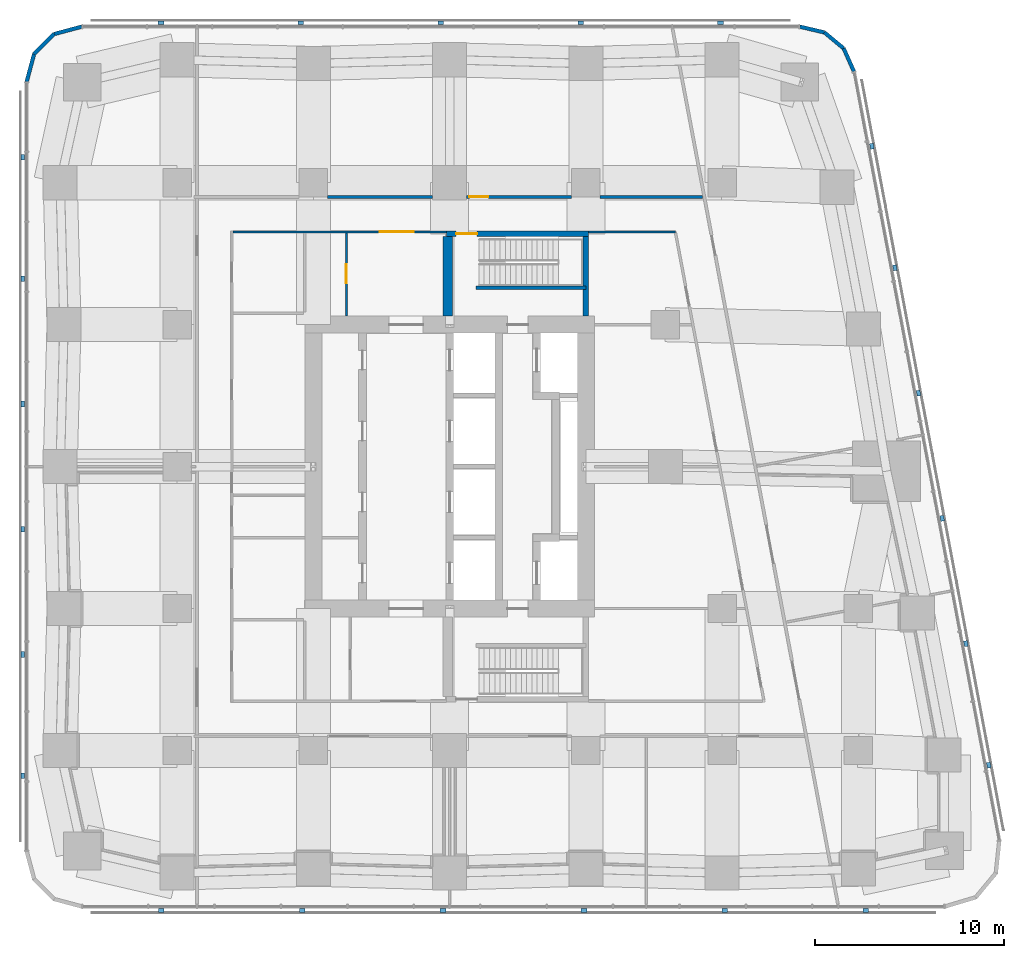
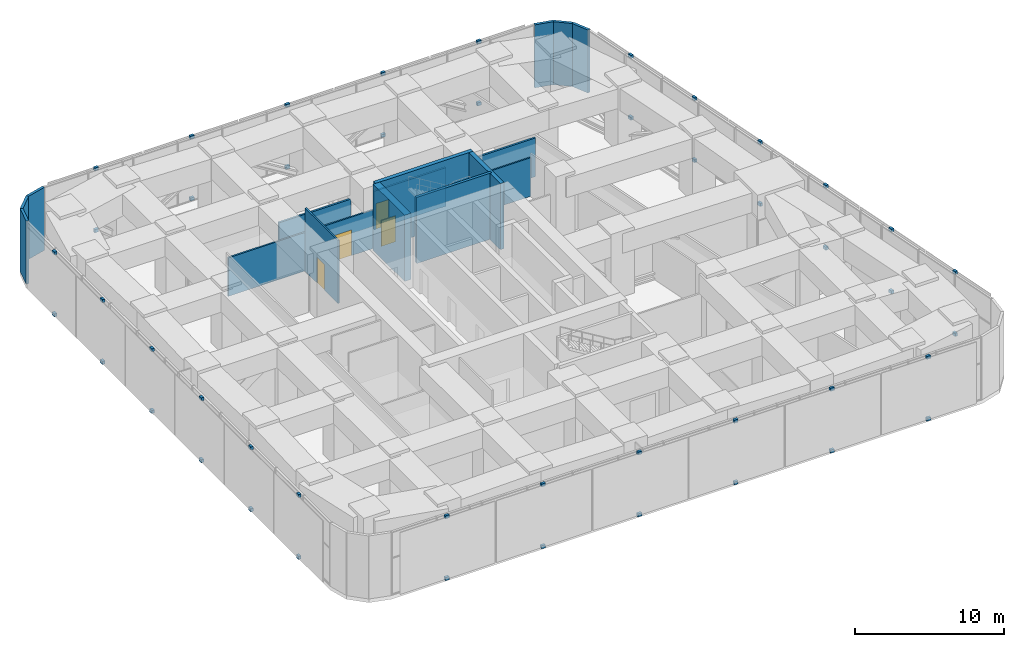
# One storey, part 15 of 17: 46 discrete accessories, 16 walls, 4 doors, 4 openings.
"""IFC4 building model written with IfcOpenShell, lengths in metres."""

from ifc_helpers import new_model, si_unit, direction, frame, frame_2d, origin, origin_2d, place, context, subcontext, project, spatial, rectangle, extrude, material, layer, layer_set, type_object, element, fill, save


model = new_model("IFC4")

# Units and contexts
model_context = context("Model", 3, precision=1e-05, world=origin(), true_north=direction((0.0, 1.0)))
body_context = subcontext(model_context, "Body", "Model", "MODEL_VIEW")
ifc_project = project(units=[si_unit("LENGTHUNIT", "METRE"), si_unit("AREAUNIT", "SQUARE_METRE"), si_unit("VOLUMEUNIT", "CUBIC_METRE"), si_unit("PLANEANGLEUNIT", "RADIAN"), si_unit("MASSUNIT", "GRAM", prefix="KILO")], contexts=[model_context])

# Site, building, storey
site_placement = place(None, origin())
site = spatial("IfcSite", under=ifc_project, at=site_placement, CompositionType="ELEMENT")
building_placement = place(site_placement, origin())
building = spatial("IfcBuilding", under=site, at=building_placement, Name="Sheger Commons Tower", CompositionType="ELEMENT")
storey_placement = place(building_placement, frame((0.0, 0.0, 188.300048828125)))
storey = spatial("IfcBuildingStorey", under=building, at=storey_placement, Name="L48", CompositionType="ELEMENT", Elevation=188.300048828125)

# Wall
ifc_material_1 = material(Name="Hollow concrete block masonry, skimmed both sides", Category="masonry")
ifc_layer_1 = layer(ifc_material_1, 0.14990234375)
ifc_layer_set_1 = layer_set([ifc_layer_1], Name="CORRIDOR WALL 150")
wall_type_1 = type_object("IfcWallType", Name="CORRIDOR WALL 150", PredefinedType="SOLIDWALL", material=ifc_layer_set_1)
wall_1_placement = place(storey_placement, frame((15.15087890625, 36.75, 0.0), z_axis=(0.0, 0.0, 1.0), x_axis=(1.0, 0.0, 0.0)))
element("IfcWall", 1, at=wall_1_placement, inside=storey, type_object=wall_type_1, Name="Corridor wall L48", PredefinedType="SOLIDWALL", context=body_context, shape_type="SweptSolid", body=[
    extrude(rectangle(XDim=5.548095703125, YDim=0.14990234375, at=frame_2d((2.77392578125, 0.0))), origin(), (0.0, 0.0, 1.0), 3.14990234375),
])

# Wall, opening, door
wall_2_placement = place(storey_placement, frame((22.5009765625, 36.75, 0.0), z_axis=(0.0, 0.0, 1.0), x_axis=(1.0, 0.0, 0.0)))
wall_2 = element("IfcWall", 2, at=wall_2_placement, inside=storey, type_object=wall_type_1, Name="Corridor wall L48", PredefinedType="SOLIDWALL", context=body_context, shape_type="SweptSolid", body=[
    extrude(rectangle(XDim=5.548095703125, YDim=0.14990234375, at=frame_2d((2.77392578125, 0.0))), origin(), (0.0, 0.0, 1.0), 3.14990234375),
])
opening_1_placement = place(wall_2_placement, frame((0.14990234375, 0.0, 0.0)))
opening_1 = element("IfcOpeningElement", 3, at=opening_1_placement, cuts=wall_2, Name="Opening D4", PredefinedType="OPENING", context=body_context, shape_type="SweptSolid", body=[
    extrude(rectangle(XDim=1.0, YDim=2.10009765625, at=frame_2d((0.5, 1.050048828125))), frame((0.0, 0.0849609375, 0.0), z_axis=(0.0, -1.0, 0.0), x_axis=(1.0, 0.0, 0.0)), (0.0, 0.0, 1.0), 0.169921875),
])
ifc_material_2 = material(Name="Steel door set, fire rated", Category="steel")
door_type_1 = type_object("IfcDoorType", Name="SERVICE DOOR 1000x2100", OperationType="NOTDEFINED", PredefinedType="DOOR", material=ifc_material_2)
door_1_placement = place(opening_1_placement, origin())
door_1 = element("IfcDoor", 4, at=door_1_placement, inside=storey, type_object=door_type_1, Name="Refuge area door", OperationType="SINGLE_SWING_LEFT", OverallHeight=2.10009765625, OverallWidth=1.0, PredefinedType="DOOR", context=body_context, shape_type="SweptSolid", body=[
    extrude(rectangle(XDim=1.0, YDim=2.10009765625, at=frame_2d((0.5, 1.050048828125))), frame((0.0, 0.02490234375, 0.0), z_axis=(0.0, -1.0, 0.0), x_axis=(1.0, 0.0, 0.0)), (0.0, 0.0, 1.0), 0.050048828125),
])
fill(opening_1, door_1)

# Walls
wall_3_placement = place(storey_placement, frame((29.551025390625, 36.75, 0.0), z_axis=(0.0, 0.0, 1.0), x_axis=(1.0, 0.0, 0.0)))
element("IfcWall", 5, at=wall_3_placement, inside=storey, type_object=wall_type_1, Name="Corridor wall L48", PredefinedType="SOLIDWALL", context=body_context, shape_type="SweptSolid", body=[
    extrude(rectangle(XDim=5.4208984375, YDim=0.14990234375, at=frame_2d((2.71044921875, 0.0))), origin(), (0.0, 0.0, 1.0), 3.14990234375),
])
ifc_material_3 = material(Name="Rendered concrete block masonry, dark grey", Category="masonry")
ifc_layer_2 = layer(ifc_material_3, 0.199951171875)
ifc_layer_set_2 = layer_set([ifc_layer_2], Name="FACADE WALL 200")
wall_type_2 = type_object("IfcWallType", Name="FACADE WALL 200", PredefinedType="SOLIDWALL", material=ifc_layer_set_2)
wall_4_placement = place(storey_placement, frame((42.969970703125, 43.376953125, 0.0), z_axis=(0.0, 0.0, 1.0), x_axis=(-0.406002956633, 0.913871762998, 0.0)))
element("IfcWall", 6, at=wall_4_placement, inside=storey, type_object=wall_type_2, Name="Facade wall L48", PredefinedType="SOLIDWALL", context=body_context, shape_type="SweptSolid", body=[
    extrude(rectangle(XDim=1.33740234375, YDim=0.199951171875, at=frame_2d((0.668701171875, 0.0))), origin(), (0.0, 0.0, 1.0), 5.14990234375),
])
wall_5_placement = place(storey_placement, frame((42.427001953125, 44.59912109375, 0.0), z_axis=(0.0, 0.0, 1.0), x_axis=(-0.770091412544, 0.637933551655, 0.0)))
element("IfcWall", 7, at=wall_5_placement, inside=storey, type_object=wall_type_2, Name="Facade wall L48", PredefinedType="SOLIDWALL", context=body_context, shape_type="SweptSolid", body=[
    extrude(rectangle(XDim=1.324462890625, YDim=0.199951171875, at=frame_2d((0.662109375, 0.0))), origin(), (0.0, 0.0, 1.0), 5.14990234375),
])
wall_6_placement = place(storey_placement, frame((41.406982421875, 45.444091796875, 0.0), z_axis=(0.0, 0.0, 1.0), x_axis=(-0.973453091607, 0.228886606077, 0.0)))
element("IfcWall", 8, at=wall_6_placement, inside=storey, type_object=wall_type_2, Name="Facade wall L48", PredefinedType="SOLIDWALL", context=body_context, shape_type="SweptSolid", body=[
    extrude(rectangle(XDim=1.33642578125, YDim=0.199951171875, at=frame_2d((0.668212890625, 0.0))), origin(), (0.0, 0.0, 1.0), 5.14990234375),
])
wall_7_placement = place(storey_placement, frame((2.1630859375, 45.75, 0.0), z_axis=(0.0, 0.0, 1.0), x_axis=(-0.965832000415, -0.259168954497, 0.0)))
element("IfcWall", 9, at=wall_7_placement, inside=storey, type_object=wall_type_2, Name="Facade wall L48", PredefinedType="SOLIDWALL", context=body_context, shape_type="SweptSolid", body=[
    extrude(rectangle(XDim=1.512939453125, YDim=0.199951171875, at=frame_2d((0.75634765625, 0.0))), origin(), (0.0, 0.0, 1.0), 5.14990234375),
])
wall_8_placement = place(storey_placement, frame((0.701904296875, 45.35791015625, 0.0), z_axis=(0.0, 0.0, 1.0), x_axis=(-0.707106781187, -0.707106781187, 0.0)))
element("IfcWall", 10, at=wall_8_placement, inside=storey, type_object=wall_type_2, Name="Facade wall L48", PredefinedType="SOLIDWALL", context=body_context, shape_type="SweptSolid", body=[
    extrude(rectangle(XDim=1.498779296875, YDim=0.199951171875, at=frame_2d((0.74951171875, 0.0))), origin(), (0.0, 0.0, 1.0), 5.14990234375),
])
wall_9_placement = place(storey_placement, frame((-0.35791015625, 44.298095703125, 0.0), z_axis=(0.0, 0.0, 1.0), x_axis=(-0.259168954497, -0.965832000415, 0.0)))
element("IfcWall", 11, at=wall_9_placement, inside=storey, type_object=wall_type_2, Name="Facade wall L48", PredefinedType="SOLIDWALL", context=body_context, shape_type="SweptSolid", body=[
    extrude(rectangle(XDim=1.512939453125, YDim=0.199951171875, at=frame_2d((0.75634765625, 0.0))), origin(), (0.0, 0.0, 1.0), 5.14990234375),
])

# Wall, opening, door
ifc_material_4 = material(Name="Gypsum board on steel studs, two layers each side, fire rated", Category="steel")
ifc_layer_3 = layer(ifc_material_4, 0.125)
ifc_layer_set_3 = layer_set([ifc_layer_3], Name="SERVICE WALL 125")
wall_type_3 = type_object("IfcWallType", Name="SERVICE WALL 125", PredefinedType="PARTITIONING", material=ifc_layer_set_3)
wall_10_placement = place(storey_placement, frame((10.1630859375, 34.89990234375, 0.0), z_axis=(0.0, 0.0, 1.0), x_axis=(1.0, 0.0, 0.0)))
wall_10 = element("IfcWall", 12, at=wall_10_placement, inside=storey, type_object=wall_type_3, Name="Service room wall L48", PredefinedType="PARTITIONING", context=body_context, shape_type="SweptSolid", body=[
    extrude(rectangle(XDim=11.286865234375, YDim=0.125, at=frame_2d((5.6435546875, 0.0))), origin(), (0.0, 0.0, 1.0), 3.14990234375),
])
opening_2_placement = place(wall_10_placement, frame((7.737060546875, 0.0, 0.0)))
opening_2 = element("IfcOpeningElement", 13, at=opening_2_placement, cuts=wall_10, Name="Opening D6", PredefinedType="OPENING", context=body_context, shape_type="SweptSolid", body=[
    extrude(rectangle(XDim=1.800048828125, YDim=2.10009765625, at=frame_2d((0.89990234375, 1.050048828125))), frame((0.0, 0.072509765625, 0.0), z_axis=(0.0, -1.0, 0.0), x_axis=(1.0, 0.0, 0.0)), (0.0, 0.0, 1.0), 0.14501953125),
])
ifc_material_5 = material(Name="Steel door set, fire rated", Category="steel")
door_type_2 = type_object("IfcDoorType", Name="LOBBY DOUBLE DOOR 1800x2100", OperationType="DOUBLE_DOOR_SINGLE_SWING", PredefinedType="DOOR", material=ifc_material_5)
door_2_placement = place(opening_2_placement, origin())
door_2 = element("IfcDoor", 14, at=door_2_placement, inside=storey, type_object=door_type_2, Name="Lift lobby north door", OperationType="DOUBLE_DOOR_SINGLE_SWING", OverallHeight=2.10009765625, OverallWidth=1.800048828125, PredefinedType="DOOR", context=body_context, shape_type="SweptSolid", body=[
    extrude(rectangle(XDim=1.800048828125, YDim=2.10009765625, at=frame_2d((0.89990234375, 1.050048828125))), frame((0.0, 0.02490234375, 0.0), z_axis=(0.0, -1.0, 0.0), x_axis=(1.0, 0.0, 0.0)), (0.0, 0.0, 1.0), 0.050048828125),
])
fill(opening_2, door_2)

wall_11_placement = place(storey_placement, frame((16.14990234375, 30.449951171875, 0.0), z_axis=(0.0, 0.0, 1.0), x_axis=(0.0, 1.0, 0.0)))
wall_11 = element("IfcWall", 15, at=wall_11_placement, inside=storey, type_object=wall_type_3, Name="Service room wall L48", PredefinedType="PARTITIONING", context=body_context, shape_type="SweptSolid", body=[
    extrude(rectangle(XDim=4.386962890625, YDim=0.125, at=frame_2d((2.193359375, 0.0))), origin(), (0.0, 0.0, 1.0), 5.14990234375),
])
opening_3_placement = place(wall_11_placement, frame((1.75, 0.0, 0.0)))
opening_3 = element("IfcOpeningElement", 16, at=opening_3_placement, cuts=wall_11, Name="Opening D4", PredefinedType="OPENING", context=body_context, shape_type="SweptSolid", body=[
    extrude(rectangle(XDim=1.0, YDim=2.10009765625, at=frame_2d((0.5, 1.050048828125))), frame((0.0, 0.072509765625, 0.0), z_axis=(0.0, -1.0, 0.0), x_axis=(1.0, 0.0, 0.0)), (0.0, 0.0, 1.0), 0.14501953125),
])
door_3_placement = place(opening_3_placement, origin())
door_3 = element("IfcDoor", 17, at=door_3_placement, inside=storey, type_object=door_type_1, Name="Telecom switch room door", OperationType="SINGLE_SWING_RIGHT", OverallHeight=2.10009765625, OverallWidth=1.0, PredefinedType="DOOR", context=body_context, shape_type="SweptSolid", body=[
    extrude(rectangle(XDim=1.0, YDim=2.10009765625, at=frame_2d((0.5, 1.050048828125))), frame((0.0, 0.02490234375, 0.0), z_axis=(0.0, -1.0, 0.0), x_axis=(1.0, 0.0, 0.0)), (0.0, 0.0, 1.0), 0.050048828125),
])
fill(opening_3, door_3)

# Wall
wall_12_placement = place(storey_placement, frame((28.949951171875, 34.89990234375, 0.0), z_axis=(0.0, 0.0, 1.0), x_axis=(1.0, 0.0, 0.0)))
element("IfcWall", 18, at=wall_12_placement, inside=storey, type_object=wall_type_3, Name="Service room wall L48", PredefinedType="PARTITIONING", context=body_context, shape_type="SweptSolid", body=[
    extrude(rectangle(XDim=4.588134765625, YDim=0.125, at=frame_2d((2.2939453125, 0.0))), origin(), (0.0, 0.0, 1.0), 3.14990234375),
])

# Wall, opening, door
ifc_material_6 = material(Name="Concrete C50/60", Category="concrete")
ifc_layer_4 = layer(ifc_material_6, 0.300048828125)
ifc_layer_set_4 = layer_set([ifc_layer_4], Name="STAIR CORE WALL 300")
wall_type_4 = type_object("IfcWallType", Name="STAIR CORE WALL 300", PredefinedType="SHEAR", material=ifc_layer_set_4)
wall_13_placement = place(storey_placement, frame((21.449951171875, 34.800048828125, 0.0), z_axis=(0.0, 0.0, 1.0), x_axis=(1.0, 0.0, 0.0)))
wall_13 = element("IfcWall", 19, at=wall_13_placement, inside=storey, type_object=wall_type_4, Name="STW-L48-S2N", PredefinedType="SHEAR", context=body_context, shape_type="SweptSolid", body=[
    extrude(rectangle(XDim=7.5, YDim=0.300048828125, at=frame_2d((3.75, 0.0))), origin(), (0.0, 0.0, 1.0), 5.39990234375),
])
opening_4_placement = place(wall_13_placement, frame((0.5, 0.0, 0.0)))
opening_4 = element("IfcOpeningElement", 20, at=opening_4_placement, cuts=wall_13, Name="Opening D5", PredefinedType="OPENING", context=body_context, shape_type="SweptSolid", body=[
    extrude(rectangle(XDim=1.10009765625, YDim=2.10009765625, at=frame_2d((0.550048828125, 1.050048828125))), frame((0.0, 0.159912109375, 0.0), z_axis=(0.0, -1.0, 0.0), x_axis=(1.0, 0.0, 0.0)), (0.0, 0.0, 1.0), 0.320068359375),
])
ifc_material_7 = material(Name="Steel door set, fire rated", Category="steel")
door_type_3 = type_object("IfcDoorType", Name="STAIR DOOR 1100x2100", OperationType="NOTDEFINED", PredefinedType="DOOR", material=ifc_material_7)
door_4_placement = place(opening_4_placement, origin())
door_4 = element("IfcDoor", 21, at=door_4_placement, inside=storey, type_object=door_type_3, Name="Stair S2 door", OperationType="SINGLE_SWING_RIGHT", OverallHeight=2.10009765625, OverallWidth=1.10009765625, PredefinedType="DOOR", context=body_context, shape_type="SweptSolid", body=[
    extrude(rectangle(XDim=1.10009765625, YDim=2.10009765625, at=frame_2d((0.550048828125, 1.050048828125))), frame((0.0, 0.02490234375, 0.0), z_axis=(0.0, -1.0, 0.0), x_axis=(1.0, 0.0, 0.0)), (0.0, 0.0, 1.0), 0.050048828125),
])
fill(opening_4, door_4)

# Walls
wall_14_placement = place(storey_placement, frame((28.800048828125, 30.449951171875, 0.0), z_axis=(0.0, 0.0, 1.0), x_axis=(0.0, 1.0, 0.0)))
element("IfcWall", 22, at=wall_14_placement, inside=storey, type_object=wall_type_4, Name="STW-L48-S2E", PredefinedType="SHEAR", context=body_context, shape_type="SweptSolid", body=[
    extrude(rectangle(XDim=4.199951171875, YDim=0.300048828125, at=frame_2d((2.10009765625, 0.0))), origin(), (0.0, 0.0, 1.0), 5.39990234375),
])
ifc_material_8 = material(Name="Concrete C50/60", Category="concrete")
ifc_layer_5 = layer(ifc_material_8, 0.5)
ifc_layer_set_5 = layer_set([ifc_layer_5], Name="STAIR CORE WALL 500")
wall_type_5 = type_object("IfcWallType", Name="STAIR CORE WALL 500", PredefinedType="SHEAR", material=ifc_layer_set_5)
wall_15_placement = place(storey_placement, frame((21.5, 30.449951171875, 0.0), z_axis=(0.0, 0.0, 1.0), x_axis=(0.0, 1.0, 0.0)))
element("IfcWall", 23, at=wall_15_placement, inside=storey, type_object=wall_type_5, Name="STW-L48-S2W", PredefinedType="SHEAR", context=body_context, shape_type="SweptSolid", body=[
    extrude(rectangle(XDim=4.199951171875, YDim=0.5, at=frame_2d((2.10009765625, 0.0))), origin(), (0.0, 0.0, 1.0), 5.39990234375),
])
ifc_material_9 = material(Name="Concrete C50/60", Category="concrete")
ifc_layer_6 = layer(ifc_material_9, 0.199951171875)
ifc_layer_set_6 = layer_set([ifc_layer_6], Name="STAIR SPINE WALL 200")
wall_type_6 = type_object("IfcWallType", Name="STAIR SPINE WALL 200", PredefinedType="SHEAR", material=ifc_layer_set_6)
wall_16_placement = place(storey_placement, frame((23.0, 31.949951171875, 0.0), z_axis=(0.0, 0.0, 1.0), x_axis=(1.0, 0.0, 0.0)))
element("IfcWall", 24, at=wall_16_placement, inside=storey, type_object=wall_type_6, Name="Stair spine wall L48", PredefinedType="SHEAR", context=body_context, shape_type="SweptSolid", body=[
    extrude(rectangle(XDim=5.800048828125, YDim=0.199951171875, at=frame_2d((2.89990234375, 0.0))), origin(), (0.0, 0.0, 1.0), 5.39990234375),
])

# Discrete accessories
ifc_material_10 = material(Name="Black painted steel bracket", Category="steel")
discrete_accessory_type = type_object("IfcDiscreteAccessoryType", Name="SCREEN BRACKET 300x200x250", PredefinedType="BRACKET", material=ifc_material_10)
for number, where, z_axis, x_axis, name in (
    (25, (6.37109375, -0.949951171875, -0.10009765625), (0.0, 0.0, 1.0), (1.0, 0.0, 0.0), "Solar screen foot bracket"),
    (26, (6.37109375, -0.949951171875, 4.949951171875), (0.0, 0.0, 1.0), (1.0, 0.0, 0.0), "Solar screen head bracket"),
    (27, (13.81396484375, -0.949951171875, -0.10009765625), (0.0, 0.0, 1.0), (1.0, 0.0, 0.0), "Solar screen foot bracket"),
    (28, (13.81396484375, -0.949951171875, 4.949951171875), (0.0, 0.0, 1.0), (1.0, 0.0, 0.0), "Solar screen head bracket"),
    (29, (21.257080078125, -0.949951171875, -0.10009765625), (0.0, 0.0, 1.0), (1.0, 0.0, 0.0), "Solar screen foot bracket"),
    (30, (21.257080078125, -0.949951171875, 4.949951171875), (0.0, 0.0, 1.0), (1.0, 0.0, 0.0), "Solar screen head bracket"),
    (31, (28.698974609375, -0.949951171875, -0.10009765625), (0.0, 0.0, 1.0), (1.0, 0.0, 0.0), "Solar screen foot bracket"),
    (32, (28.698974609375, -0.949951171875, 4.949951171875), (0.0, 0.0, 1.0), (1.0, 0.0, 0.0), "Solar screen head bracket"),
    (33, (36.14208984375, -0.949951171875, -0.10009765625), (0.0, 0.0, 1.0), (1.0, 0.0, 0.0), "Solar screen foot bracket"),
    (34, (36.14208984375, -0.949951171875, 4.949951171875), (0.0, 0.0, 1.0), (1.0, 0.0, 0.0), "Solar screen head bracket"),
    (35, (43.5849609375, -0.949951171875, -0.10009765625), (0.0, 0.0, 1.0), (1.0, 0.0, 0.0), "Solar screen foot bracket"),
    (36, (43.5849609375, -0.949951171875, 4.949951171875), (0.0, 0.0, 1.0), (1.0, 0.0, 0.0), "Solar screen head bracket"),
    (37, (50.096923828125, 6.722900390625, -0.10009765625), (0.0, 0.0, 1.0), (-0.185615165645, 0.982622516678, 0.0), "Solar screen foot bracket"),
    (38, (50.096923828125, 6.722900390625, 4.949951171875), (0.0, 0.0, 1.0), (-0.185615165645, 0.982622516678, 0.0), "Solar screen head bracket"),
    (39, (48.884033203125, 13.14599609375, -0.10009765625), (0.0, 0.0, 1.0), (-0.185615165645, 0.982622516678, 0.0), "Solar screen foot bracket"),
    (40, (48.884033203125, 13.14599609375, 4.949951171875), (0.0, 0.0, 1.0), (-0.185615165645, 0.982622516678, 0.0), "Solar screen head bracket"),
    (41, (47.633056640625, 19.76611328125, -0.10009765625), (0.0, 0.0, 1.0), (-0.185615165645, 0.982622516678, 0.0), "Solar screen foot bracket"),
    (42, (47.633056640625, 19.76611328125, 4.949951171875), (0.0, 0.0, 1.0), (-0.185615165645, 0.982622516678, 0.0), "Solar screen head bracket"),
    (43, (46.383056640625, 26.385009765625, -0.10009765625), (0.0, 0.0, 1.0), (-0.185615165645, 0.982622516678, 0.0), "Solar screen foot bracket"),
    (44, (46.383056640625, 26.385009765625, 4.949951171875), (0.0, 0.0, 1.0), (-0.185615165645, 0.982622516678, 0.0), "Solar screen head bracket"),
    (45, (45.133056640625, 33.0048828125, -0.10009765625), (0.0, 0.0, 1.0), (-0.185615165645, 0.982622516678, 0.0), "Solar screen foot bracket"),
    (46, (45.133056640625, 33.0048828125, 4.949951171875), (0.0, 0.0, 1.0), (-0.185615165645, 0.982622516678, 0.0), "Solar screen head bracket"),
    (47, (43.9189453125, 39.427978515625, -0.10009765625), (0.0, 0.0, 1.0), (-0.185615165645, 0.982622516678, 0.0), "Solar screen foot bracket"),
    (48, (43.9189453125, 39.427978515625, 4.949951171875), (0.0, 0.0, 1.0), (-0.185615165645, 0.982622516678, 0.0), "Solar screen head bracket"),
    (49, (35.9208984375, 45.949951171875, -0.10009765625), (0.0, 0.0, 1.0), (-1.0, 0.0, 0.0), "Solar screen foot bracket"),
    (50, (35.9208984375, 45.949951171875, 4.949951171875), (0.0, 0.0, 1.0), (-1.0, 0.0, 0.0), "Solar screen head bracket"),
    (51, (28.528076171875, 45.949951171875, -0.10009765625), (0.0, 0.0, 1.0), (-1.0, 0.0, 0.0), "Solar screen foot bracket"),
    (52, (28.528076171875, 45.949951171875, 4.949951171875), (0.0, 0.0, 1.0), (-1.0, 0.0, 0.0), "Solar screen head bracket"),
    (53, (21.134033203125, 45.949951171875, -0.10009765625), (0.0, 0.0, 1.0), (-1.0, 0.0, 0.0), "Solar screen foot bracket"),
    (54, (21.134033203125, 45.949951171875, 4.949951171875), (0.0, 0.0, 1.0), (-1.0, 0.0, 0.0), "Solar screen head bracket"),
    (55, (13.739990234375, 45.949951171875, -0.10009765625), (0.0, 0.0, 1.0), (-1.0, 0.0, 0.0), "Solar screen foot bracket"),
    (56, (13.739990234375, 45.949951171875, 4.949951171875), (0.0, 0.0, 1.0), (-1.0, 0.0, 0.0), "Solar screen head bracket"),
    (57, (6.346923828125, 45.949951171875, -0.10009765625), (0.0, 0.0, 1.0), (-1.0, 0.0, 0.0), "Solar screen foot bracket"),
    (58, (6.346923828125, 45.949951171875, 4.949951171875), (0.0, 0.0, 1.0), (-1.0, 0.0, 0.0), "Solar screen head bracket"),
    (59, (-0.949951171875, 38.842041015625, -0.10009765625), (0.0, 0.0, 1.0), (0.0, -1.0, 0.0), "Solar screen foot bracket"),
    (60, (-0.949951171875, 38.842041015625, 4.949951171875), (0.0, 0.0, 1.0), (0.0, -1.0, 0.0), "Solar screen head bracket"),
    (61, (-0.949951171875, 32.425048828125, -0.10009765625), (0.0, 0.0, 1.0), (0.0, -1.0, 0.0), "Solar screen foot bracket"),
    (62, (-0.949951171875, 32.425048828125, 4.949951171875), (0.0, 0.0, 1.0), (0.0, -1.0, 0.0), "Solar screen head bracket"),
    (63, (-0.949951171875, 25.80810546875, -0.10009765625), (0.0, 0.0, 1.0), (0.0, -1.0, 0.0), "Solar screen foot bracket"),
    (64, (-0.949951171875, 25.80810546875, 4.949951171875), (0.0, 0.0, 1.0), (0.0, -1.0, 0.0), "Solar screen head bracket"),
    (65, (-0.949951171875, 19.19189453125, -0.10009765625), (0.0, 0.0, 1.0), (0.0, -1.0, 0.0), "Solar screen foot bracket"),
    (66, (-0.949951171875, 19.19189453125, 4.949951171875), (0.0, 0.0, 1.0), (0.0, -1.0, 0.0), "Solar screen head bracket"),
    (67, (-0.949951171875, 12.574951171875, -0.10009765625), (0.0, 0.0, 1.0), (0.0, -1.0, 0.0), "Solar screen foot bracket"),
    (68, (-0.949951171875, 12.574951171875, 4.949951171875), (0.0, 0.0, 1.0), (0.0, -1.0, 0.0), "Solar screen head bracket"),
    (69, (-0.949951171875, 6.157958984375, -0.10009765625), (0.0, 0.0, 1.0), (0.0, -1.0, 0.0), "Solar screen foot bracket"),
    (70, (-0.949951171875, 6.157958984375, 4.949951171875), (0.0, 0.0, 1.0), (0.0, -1.0, 0.0), "Solar screen head bracket"),
):
    element("IfcDiscreteAccessory", number, at=place(storey_placement, frame(where, z_axis=z_axis, x_axis=x_axis)), inside=storey, type_object=discrete_accessory_type, Name=name, PredefinedType="BRACKET", context=body_context, shape_type="SweptSolid", body=[
        extrude(rectangle(XDim=0.300048828125, YDim=0.199951171875, at=origin_2d()), origin(), (0.0, 0.0, 1.0), 0.25),
    ])

save(model, "model.ifc")
